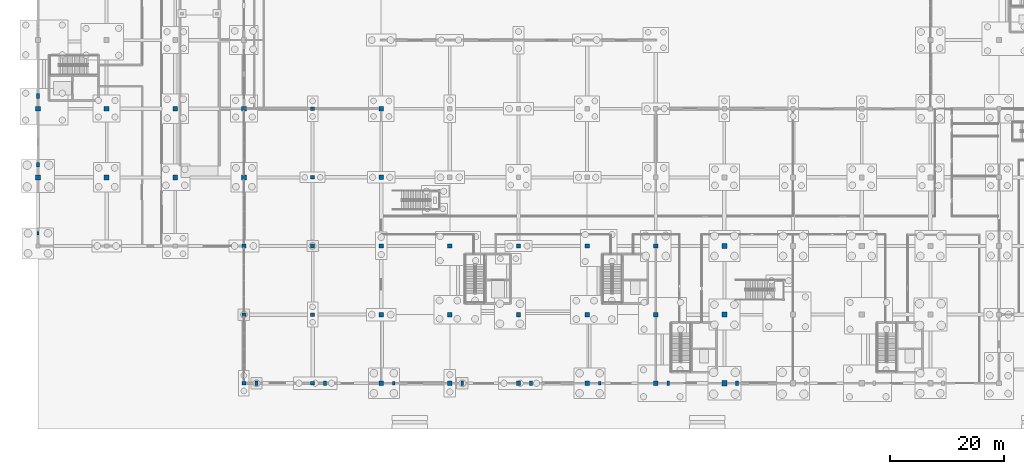
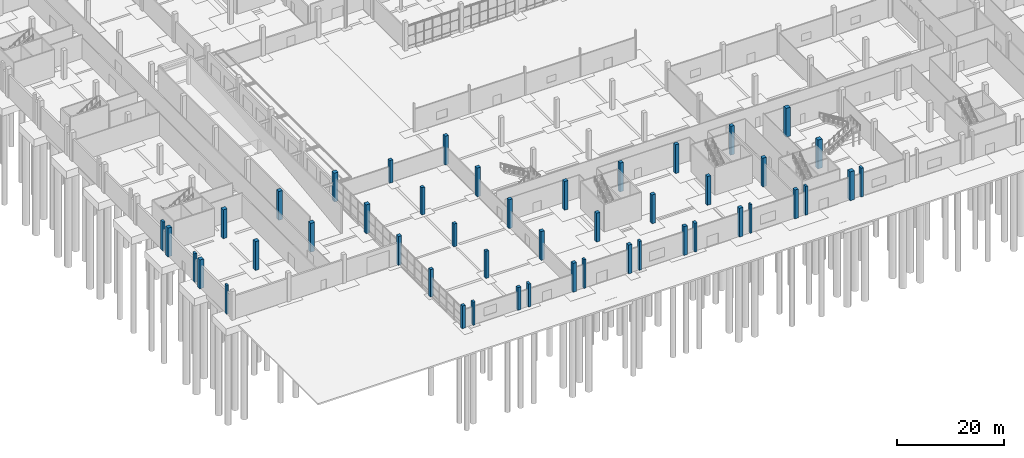
# One storey, part 15 of 117: 47 columns.
"""IFC4 building model written with IfcOpenShell, lengths in metres."""

from ifc_helpers import new_model, si_unit, direction, frame, origin, origin_2d, place, context, subcontext, project, spatial, rectangle, extrude, material, material_profile, profile_set, type_object, element, save


model = new_model("IFC4")

# Units and contexts
model_context = context("Model", 3, precision=1e-05, world=origin(), true_north=direction((0.0, 1.0)))
body_context = subcontext(model_context, "Body", "Model", "MODEL_VIEW")
ifc_project = project(units=[si_unit("LENGTHUNIT", "METRE"), si_unit("AREAUNIT", "SQUARE_METRE"), si_unit("VOLUMEUNIT", "CUBIC_METRE"), si_unit("PLANEANGLEUNIT", "RADIAN"), si_unit("MASSUNIT", "GRAM", prefix="KILO")], contexts=[model_context])

# Site, building, storey
site_placement = place(None, origin())
site = spatial("IfcSite", under=ifc_project, at=site_placement, CompositionType="ELEMENT")
building_placement = place(site_placement, origin())
building = spatial("IfcBuilding", under=site, at=building_placement, Name="Kamomehara Wholesale Market", CompositionType="ELEMENT")
storey_placement = place(building_placement, origin())
storey = spatial("IfcBuildingStorey", under=building, at=storey_placement, Name="L00", CompositionType="ELEMENT", Elevation=0.0)

# Columns
ifc_material_1 = material(Name="Precast concrete Fc45 (C40/50)", Category="concrete")
ifc_material_profile_1 = material_profile(ifc_material_1, rectangle(XDim=0.64990234375, YDim=0.64990234375, at=origin_2d()), Name="PC-COL-650x650")
ifc_profile_set_1 = profile_set([ifc_material_profile_1], Name="Precast concrete Fc45 (C40/50)")
column_type_1 = type_object("IfcColumnType", Name="COL-PC650-EXT", PredefinedType="COLUMN", material=ifc_profile_set_1)
column_1_placement = place(storey_placement, frame((36.0, 12.0, 0.0), z_axis=(0.0, 0.0, 1.0), x_axis=(1.0, 0.0, 0.0)))
element("IfcColumn", 1, at=column_1_placement, inside=storey, type_object=column_type_1, Name="Column C-06E L00", PredefinedType="COLUMN", context=body_context, shape_type="SweptSolid", body=[
    extrude(rectangle(XDim=0.64990234375, YDim=0.64990234375, at=origin_2d()), origin(), (0.0, 0.0, 1.0), 5.2099609375),
])
column_2_placement = place(storey_placement, frame((36.0, 24.0, 0.0), z_axis=(0.0, 0.0, 1.0), x_axis=(1.0, 0.0, 0.0)))
element("IfcColumn", 2, at=column_2_placement, inside=storey, type_object=column_type_1, Name="Column C-06E L00", PredefinedType="COLUMN", context=body_context, shape_type="SweptSolid", body=[
    extrude(rectangle(XDim=0.64990234375, YDim=0.64990234375, at=origin_2d()), origin(), (0.0, 0.0, 1.0), 6.260009765625),
])
column_3_placement = place(storey_placement, frame((48.0, 12.0, 0.0), z_axis=(0.0, 0.0, 1.0), x_axis=(1.0, 0.0, 0.0)))
element("IfcColumn", 3, at=column_3_placement, inside=storey, type_object=column_type_1, Name="Column C-06E L00", PredefinedType="COLUMN", context=body_context, shape_type="SweptSolid", body=[
    extrude(rectangle(XDim=0.64990234375, YDim=0.64990234375, at=origin_2d()), origin(), (0.0, 0.0, 1.0), 5.2099609375),
])
column_4_placement = place(storey_placement, frame((48.0, 24.0, 0.0), z_axis=(0.0, 0.0, 1.0), x_axis=(1.0, 0.0, 0.0)))
element("IfcColumn", 4, at=column_4_placement, inside=storey, type_object=column_type_1, Name="Column C-06E L00", PredefinedType="COLUMN", context=body_context, shape_type="SweptSolid", body=[
    extrude(rectangle(XDim=0.64990234375, YDim=0.64990234375, at=origin_2d()), origin(), (0.0, 0.0, 1.0), 6.260009765625),
])
column_5_placement = place(storey_placement, frame((48.0, 36.0, 0.0), z_axis=(0.0, 0.0, 1.0), x_axis=(1.0, 0.0, 0.0)))
element("IfcColumn", 5, at=column_5_placement, inside=storey, type_object=column_type_1, Name="Column C-06E L00", PredefinedType="COLUMN", context=body_context, shape_type="SweptSolid", body=[
    extrude(rectangle(XDim=0.64990234375, YDim=0.64990234375, at=origin_2d()), origin(), (0.0, 0.0, 1.0), 5.2099609375),
])
column_6_placement = place(storey_placement, frame((48.0, 48.0, 0.0), z_axis=(0.0, 0.0, 1.0), x_axis=(1.0, 0.0, 0.0)))
element("IfcColumn", 6, at=column_6_placement, inside=storey, type_object=column_type_1, Name="Column C-06E L00", PredefinedType="COLUMN", context=body_context, shape_type="SweptSolid", body=[
    extrude(rectangle(XDim=0.64990234375, YDim=0.64990234375, at=origin_2d()), origin(), (0.0, 0.0, 1.0), 6.260009765625),
])
column_7_placement = place(storey_placement, frame((48.0, 60.0, 0.0), z_axis=(0.0, 0.0, 1.0), x_axis=(1.0, 0.0, 0.0)))
element("IfcColumn", 7, at=column_7_placement, inside=storey, type_object=column_type_1, Name="Column C-06E L00", PredefinedType="COLUMN", context=body_context, shape_type="SweptSolid", body=[
    extrude(rectangle(XDim=0.64990234375, YDim=0.64990234375, at=origin_2d()), origin(), (0.0, 0.0, 1.0), 5.2099609375),
])
ifc_material_2 = material(Name="Precast concrete Fc45 (C40/50)", Category="concrete")
ifc_material_profile_2 = material_profile(ifc_material_2, rectangle(XDim=0.75, YDim=0.75, at=origin_2d()), Name="PC-COL-750x750")
ifc_profile_set_2 = profile_set([ifc_material_profile_2], Name="Precast concrete Fc45 (C40/50)")
column_type_2 = type_object("IfcColumnType", Name="COL-PC750-EXT", PredefinedType="COLUMN", material=ifc_profile_set_2)
for number, where, z_axis, x_axis, name in (
    (8, (36.0, 36.0, 0.0), (0.0, 0.0, 1.0), (1.0, 0.0, 0.0), "Column C-04E L00"),
    (9, (60.0, 12.0, 0.0), (0.0, 0.0, 1.0), (1.0, 0.0, 0.0), "Column C-04E L00"),
    (10, (60.0, 24.0, 0.0), (0.0, 0.0, 1.0), (1.0, 0.0, 0.0), "Column C-04E L00"),
    (11, (60.0, 36.0, 0.0), (0.0, 0.0, 1.0), (1.0, 0.0, 0.0), "Column C-04E L00"),
    (12, (60.0, 48.0, 0.0), (0.0, 0.0, 1.0), (1.0, 0.0, 0.0), "Column C-04E L00"),
    (13, (60.0, 60.0, 0.0), (0.0, 0.0, 1.0), (1.0, 0.0, 0.0), "Column C-04E L00"),
    (14, (72.0, 12.0, 0.0), (0.0, 0.0, 1.0), (1.0, 0.0, 0.0), "Column C-04E L00"),
    (15, (72.0, 24.0, 0.0), (0.0, 0.0, 1.0), (1.0, 0.0, 0.0), "Column C-04E L00"),
    (16, (72.0, 36.0, 0.0), (0.0, 0.0, 1.0), (1.0, 0.0, 0.0), "Column C-04E L00"),
    (17, (84.0, 12.0, 0.0), (0.0, 0.0, 1.0), (1.0, 0.0, 0.0), "Column C-04E L00"),
    (18, (84.0, 24.0, 0.0), (0.0, 0.0, 1.0), (1.0, 0.0, 0.0), "Column C-04E L00"),
    (19, (84.0, 36.0, 0.0), (0.0, 0.0, 1.0), (1.0, 0.0, 0.0), "Column C-04E L00"),
    (20, (96.0, 12.0, 0.0), (0.0, 0.0, 1.0), (1.0, 0.0, 0.0), "Column C-04E L00"),
    (21, (96.0, 24.0, 0.0), (0.0, 0.0, 1.0), (1.0, 0.0, 0.0), "Column C-04E L00"),
    (22, (96.0, 36.0, 0.0), (0.0, 0.0, 1.0), (1.0, 0.0, 0.0), "Column C-04E L00"),
    (23, (108.0, 12.0, 0.0), (0.0, 0.0, 1.0), (1.0, 0.0, 0.0), "Column C-04E L00"),
    (24, (108.0, 24.0, 0.0), (0.0, 0.0, 1.0), (1.0, 0.0, 0.0), "Column C-04E L00"),
    (25, (108.0, 36.0, 0.0), (0.0, 0.0, 1.0), (1.0, 0.0, 0.0), "Column C-04E L00"),
):
    element("IfcColumn", number, at=place(storey_placement, frame(where, z_axis=z_axis, x_axis=x_axis)), inside=storey, type_object=column_type_2, Name=name, PredefinedType="COLUMN", context=body_context, shape_type="SweptSolid", body=[
        extrude(rectangle(XDim=0.75, YDim=0.75, at=origin_2d()), origin(), (0.0, 0.0, 1.0), 6.60009765625),
    ])
ifc_material_3 = material(Name="Precast concrete Fc45 (C40/50)", Category="concrete")
ifc_material_profile_3 = material_profile(ifc_material_3, rectangle(XDim=0.85009765625, YDim=0.85009765625, at=origin_2d()), Name="PC-COL-850x850")
ifc_profile_set_3 = profile_set([ifc_material_profile_3], Name="Precast concrete Fc45 (C40/50)")
column_type_3 = type_object("IfcColumnType", Name="COL-PC850-EXT", PredefinedType="COLUMN", material=ifc_profile_set_3)
for number, where, z_axis, x_axis, name in (
    (26, (0.0, 48.0, 0.0), (0.0, 0.0, 1.0), (1.0, 0.0, 0.0), "Column C-02E L00"),
    (27, (0.0, 60.0, 0.0), (0.0, 0.0, 1.0), (1.0, 0.0, 0.0), "Column C-02E L00"),
    (28, (12.0, 48.0, 0.0), (0.0, 0.0, 1.0), (1.0, 0.0, 0.0), "Column C-02E L00"),
    (29, (12.0, 60.0, 0.0), (0.0, 0.0, 1.0), (1.0, 0.0, 0.0), "Column C-02E L00"),
    (30, (24.0, 48.0, 0.0), (0.0, 0.0, 1.0), (1.0, 0.0, 0.0), "Column C-02E L00"),
    (31, (24.0, 60.0, 0.0), (0.0, 0.0, 1.0), (1.0, 0.0, 0.0), "Column C-02E L00"),
    (32, (36.0, 48.0, 0.0), (0.0, 0.0, 1.0), (1.0, 0.0, 0.0), "Column C-02E L00"),
    (33, (36.0, 60.0, 0.0), (0.0, 0.0, 1.0), (1.0, 0.0, 0.0), "Column C-02E L00"),
):
    element("IfcColumn", number, at=place(storey_placement, frame(where, z_axis=z_axis, x_axis=x_axis)), inside=storey, type_object=column_type_3, Name=name, PredefinedType="COLUMN", context=body_context, shape_type="SweptSolid", body=[
        extrude(rectangle(XDim=0.85009765625, YDim=0.85009765625, at=origin_2d()), origin(), (0.0, 0.0, 1.0), 6.60009765625),
    ])
ifc_material_4 = material(Name="Precast concrete Fc45 (C40/50)", Category="concrete")
ifc_material_profile_4 = material_profile(ifc_material_4, rectangle(XDim=0.89990234375, YDim=0.89990234375, at=origin_2d()), Name="PC-COL-900x900")
ifc_profile_set_4 = profile_set([ifc_material_profile_4], Name="Precast concrete Fc45 (C40/50)")
column_type_4 = type_object("IfcColumnType", Name="COL-PC900-EXT", PredefinedType="COLUMN", material=ifc_profile_set_4)
for number, where, z_axis, x_axis, name in (
    (34, (120.0, 12.0, 0.0), (0.0, 0.0, 1.0), (1.0, 0.0, 0.0), "Column C-01E L00"),
    (35, (120.0, 24.0, 0.0), (0.0, 0.0, 1.0), (1.0, 0.0, 0.0), "Column C-01E L00"),
    (36, (120.0, 36.0, 0.0), (0.0, 0.0, 1.0), (1.0, 0.0, 0.0), "Column C-01E L00"),
):
    element("IfcColumn", number, at=place(storey_placement, frame(where, z_axis=z_axis, x_axis=x_axis)), inside=storey, type_object=column_type_4, Name=name, PredefinedType="COLUMN", context=body_context, shape_type="SweptSolid", body=[
        extrude(rectangle(XDim=0.89990234375, YDim=0.89990234375, at=origin_2d()), origin(), (0.0, 0.0, 1.0), 6.60009765625),
    ])
ifc_material_5 = material(Name="Precast concrete Fc45 (C40/50)", Category="concrete")
ifc_material_profile_5 = material_profile(ifc_material_5, rectangle(XDim=0.39990234375, YDim=0.64990234375, at=origin_2d()), Name="PC-PIL-400x650")
ifc_profile_set_5 = profile_set([ifc_material_profile_5], Name="Precast concrete Fc45 (C40/50)")
column_type_5 = type_object("IfcColumnType", Name="PIL-PC650-EXT", PredefinedType="PILASTER", material=ifc_profile_set_5)
for number, where, z_axis, x_axis, name in (
    (37, (0.0, 38.199951171875, 0.0), (0.0, 0.0, 1.0), (1.0, 0.0, 0.0), "Column PL-01E L00"),
    (38, (62.199951171875, 12.0, 0.0), (0.0, 0.0, 1.0), (1.0, 0.0, 0.0), "Column PL-01E L00"),
    (39, (98.199951171875, 12.0, 0.0), (0.0, 0.0, 1.0), (1.0, 0.0, 0.0), "Column PL-01E L00"),
):
    element("IfcColumn", number, at=place(storey_placement, frame(where, z_axis=z_axis, x_axis=x_axis)), inside=storey, type_object=column_type_5, Name=name, PredefinedType="PILASTER", context=body_context, shape_type="SweptSolid", body=[
        extrude(rectangle(XDim=0.39990234375, YDim=0.64990234375, at=origin_2d()), origin(), (0.0, 0.0, 1.0), 6.60009765625),
    ])
ifc_material_6 = material(Name="Precast concrete Fc45 (C40/50)", Category="concrete")
ifc_material_profile_6 = material_profile(ifc_material_6, rectangle(XDim=0.449951171875, YDim=0.75, at=origin_2d()), Name="PC-PIL-450x750")
ifc_profile_set_6 = profile_set([ifc_material_profile_6], Name="Precast concrete Fc45 (C40/50)")
column_type_6 = type_object("IfcColumnType", Name="PIL-PC750-EXT", PredefinedType="PILASTER", material=ifc_profile_set_6)
column_8_placement = place(storey_placement, frame((0.0, 50.199951171875, 0.0), z_axis=(0.0, 0.0, 1.0), x_axis=(1.0, 0.0, 0.0)))
element("IfcColumn", 40, at=column_8_placement, inside=storey, type_object=column_type_6, Name="Column PL-02E L00", PredefinedType="PILASTER", context=body_context, shape_type="SweptSolid", body=[
    extrude(rectangle(XDim=0.449951171875, YDim=0.75, at=origin_2d()), origin(), (0.0, 0.0, 1.0), 6.60009765625),
])
column_9_placement = place(storey_placement, frame((38.199951171875, 12.0, 0.0), z_axis=(0.0, 0.0, 1.0), x_axis=(1.0, 0.0, 0.0)))
element("IfcColumn", 41, at=column_9_placement, inside=storey, type_object=column_type_6, Name="Column PL-02E L00", PredefinedType="PILASTER", context=body_context, shape_type="SweptSolid", body=[
    extrude(rectangle(XDim=0.449951171875, YDim=0.75, at=origin_2d()), origin(), (0.0, 0.0, 1.0), 5.300048828125),
])
for number, where, z_axis, x_axis, name in (
    (42, (74.199951171875, 12.0, 0.0), (0.0, 0.0, 1.0), (1.0, 0.0, 0.0), "Column PL-02E L00"),
    (43, (110.199951171875, 12.0, 0.0), (0.0, 0.0, 1.0), (1.0, 0.0, 0.0), "Column PL-02E L00"),
):
    element("IfcColumn", number, at=place(storey_placement, frame(where, z_axis=z_axis, x_axis=x_axis)), inside=storey, type_object=column_type_6, Name=name, PredefinedType="PILASTER", context=body_context, shape_type="SweptSolid", body=[
        extrude(rectangle(XDim=0.449951171875, YDim=0.75, at=origin_2d()), origin(), (0.0, 0.0, 1.0), 6.60009765625),
    ])
ifc_material_7 = material(Name="Precast concrete Fc45 (C40/50)", Category="concrete")
ifc_material_profile_7 = material_profile(ifc_material_7, rectangle(XDim=0.5, YDim=0.85009765625, at=origin_2d()), Name="PC-PIL-500x850")
ifc_profile_set_7 = profile_set([ifc_material_profile_7], Name="Precast concrete Fc45 (C40/50)")
column_type_7 = type_object("IfcColumnType", Name="PIL-PC850-EXT", PredefinedType="PILASTER", material=ifc_profile_set_7)
column_10_placement = place(storey_placement, frame((0.0, 62.199951171875, 0.0), z_axis=(0.0, 0.0, 1.0), x_axis=(1.0, 0.0, 0.0)))
element("IfcColumn", 44, at=column_10_placement, inside=storey, type_object=column_type_7, Name="Column PL-03E L00", PredefinedType="PILASTER", context=body_context, shape_type="SweptSolid", body=[
    extrude(rectangle(XDim=0.5, YDim=0.85009765625, at=origin_2d()), origin(), (0.0, 0.0, 1.0), 6.60009765625),
])
column_11_placement = place(storey_placement, frame((50.199951171875, 12.0, 0.0), z_axis=(0.0, 0.0, 1.0), x_axis=(1.0, 0.0, 0.0)))
element("IfcColumn", 45, at=column_11_placement, inside=storey, type_object=column_type_7, Name="Column PL-03E L00", PredefinedType="PILASTER", context=body_context, shape_type="SweptSolid", body=[
    extrude(rectangle(XDim=0.5, YDim=0.85009765625, at=origin_2d()), origin(), (0.0, 0.0, 1.0), 5.300048828125),
])
for number, where, z_axis, x_axis, name in (
    (46, (86.199951171875, 12.0, 0.0), (0.0, 0.0, 1.0), (1.0, 0.0, 0.0), "Column PL-03E L00"),
    (47, (122.199951171875, 12.0, 0.0), (0.0, 0.0, 1.0), (1.0, 0.0, 0.0), "Column PL-03E L00"),
):
    element("IfcColumn", number, at=place(storey_placement, frame(where, z_axis=z_axis, x_axis=x_axis)), inside=storey, type_object=column_type_7, Name=name, PredefinedType="PILASTER", context=body_context, shape_type="SweptSolid", body=[
        extrude(rectangle(XDim=0.5, YDim=0.85009765625, at=origin_2d()), origin(), (0.0, 0.0, 1.0), 6.60009765625),
    ])

save(model, "model.ifc")
